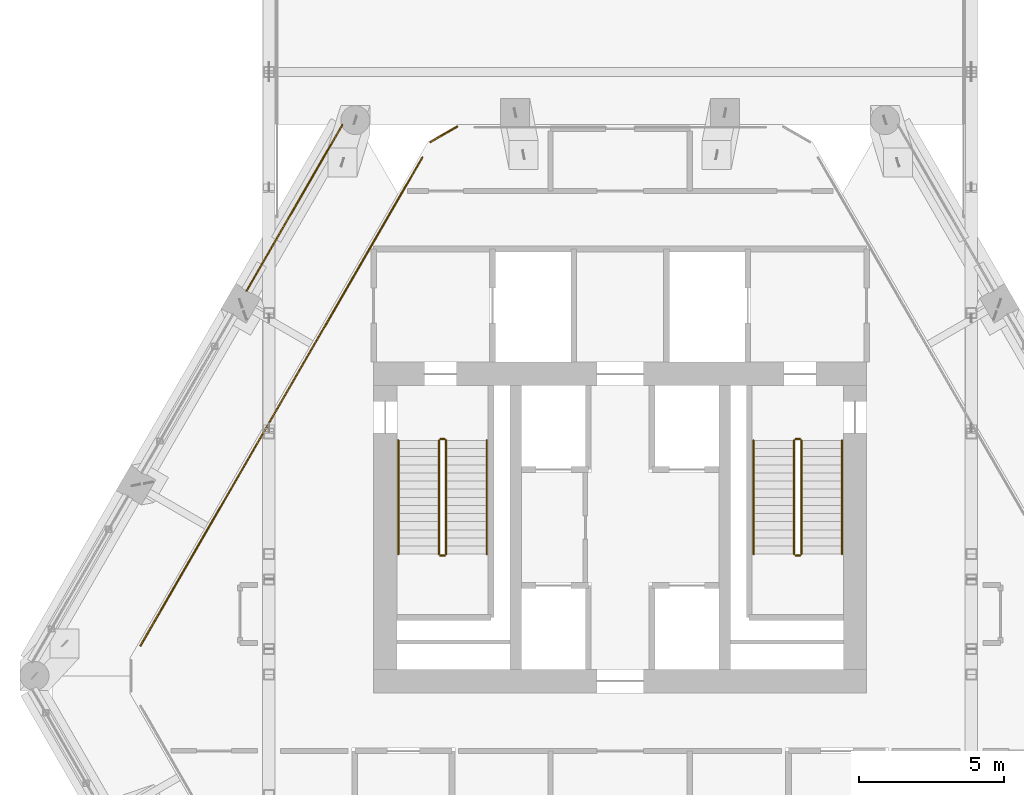
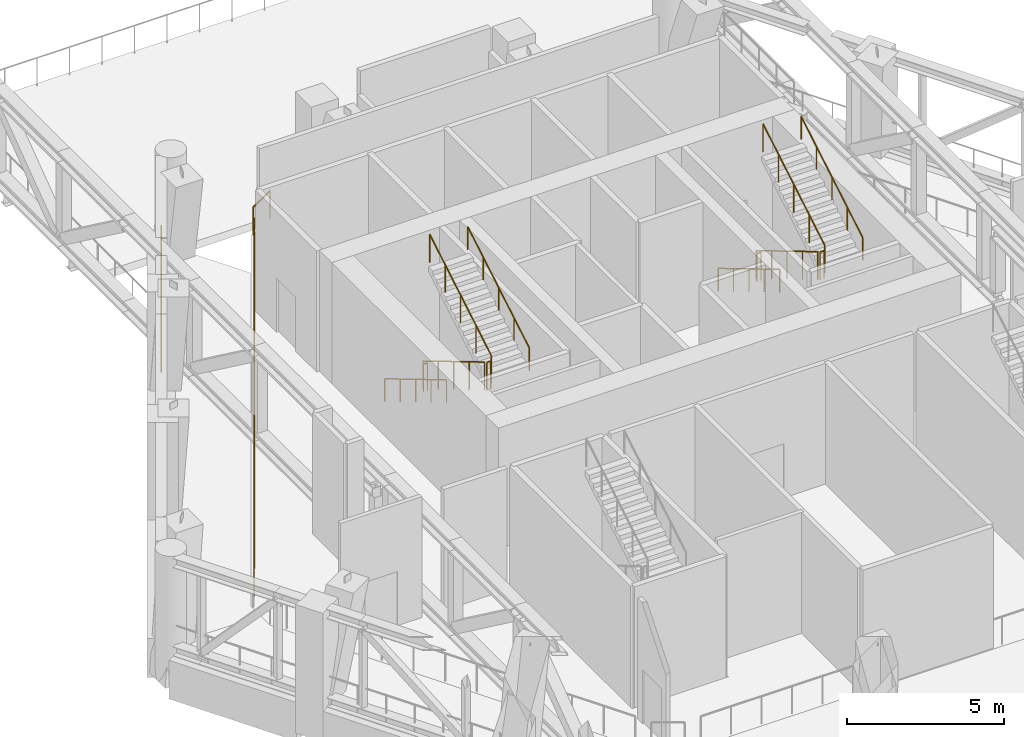
# One storey, part 21 of 22: 15 railings.
"""IFC4 building model written with IfcOpenShell, lengths in metres."""

from ifc_helpers import new_model, si_unit, direction, frame, origin, origin_2d, place, context, subcontext, project, spatial, circle, extrude, material, type_object, element, save


model = new_model("IFC4")

# Units and contexts
model_context = context("Model", 3, precision=1e-05, world=origin(), true_north=direction((0.0, 1.0)))
body_context = subcontext(model_context, "Body", "Model", "MODEL_VIEW")
ifc_project = project(units=[si_unit("LENGTHUNIT", "METRE"), si_unit("AREAUNIT", "SQUARE_METRE"), si_unit("VOLUMEUNIT", "CUBIC_METRE"), si_unit("PLANEANGLEUNIT", "RADIAN"), si_unit("MASSUNIT", "GRAM", prefix="KILO")], contexts=[model_context])

# Site, building, storey
site_placement = place(None, origin())
site = spatial("IfcSite", under=ifc_project, at=site_placement, CompositionType="ELEMENT")
building_placement = place(site_placement, origin())
building = spatial("IfcBuilding", under=site, at=building_placement, Name="Ostrander Bayou Hotel Tower", CompositionType="ELEMENT")
storey_placement = place(building_placement, frame((0.0, 0.0, 209.5)))
storey = spatial("IfcBuildingStorey", under=building, at=storey_placement, Name="L52", CompositionType="ELEMENT", Elevation=209.5)

# Railings
ifc_material_1 = material(Name="Stainless steel and clear glass", Category="steel")
railing_type_1 = type_object("IfcRailingType", Name="GR1 guard 1100 mm", PredefinedType="GUARDRAIL", material=ifc_material_1)
railing_1_placement = place(storey_placement, frame((-9.58056640625, 17.88037109375, 0.0)))
element("IfcRailing", 1, at=railing_1_placement, inside=storey, type_object=railing_type_1, Name="GR1 L52 NW-1 open band guard", PredefinedType="GUARDRAIL", context=body_context, shape_type="SweptSolid", body=[
    extrude(circle(Radius=0.02490234375, at=origin_2d()), frame((0.0, 0.0, 1.0751953125), z_axis=(-0.499994358189, -0.866028661061, 0.0), x_axis=(0.866028661061, -0.499994358189, 0.0)), (0.0, 0.0, 1.0), 6.6064453125),
    extrude(circle(Radius=0.02001953125, at=origin_2d()), origin(), (0.0, 0.0, 1.0), 1.050048828125),
    extrude(circle(Radius=0.02001953125, at=origin_2d()), frame((-0.550537109375, -0.95361328125, 0.0)), (0.0, 0.0, 1.0), 1.050048828125),
    extrude(circle(Radius=0.02001953125, at=origin_2d()), frame((-1.10107421875, -1.9072265625, 0.0)), (0.0, 0.0, 1.0), 1.050048828125),
    extrude(circle(Radius=0.02001953125, at=origin_2d()), frame((-1.651611328125, -2.86083984375, 0.0)), (0.0, 0.0, 1.0), 1.050048828125),
    extrude(circle(Radius=0.02001953125, at=origin_2d()), frame((-2.2021484375, -3.814208984375, 0.0)), (0.0, 0.0, 1.0), 1.050048828125),
    extrude(circle(Radius=0.02001953125, at=origin_2d()), frame((-2.752685546875, -4.767822265625, 0.0)), (0.0, 0.0, 1.0), 1.050048828125),
    extrude(circle(Radius=0.02001953125, at=origin_2d()), frame((-3.30322265625, -5.721435546875, 0.0)), (0.0, 0.0, 1.0), 1.050048828125),
])
railing_2_placement = place(storey_placement, frame((-5.6201171875, 17.824951171875, 0.0)))
element("IfcRailing", 2, at=railing_2_placement, inside=storey, type_object=railing_type_1, Name="GR1 L52 corner guard 1", PredefinedType="GUARDRAIL", context=body_context, shape_type="SweptSolid", body=[
    extrude(circle(Radius=0.02490234375, at=origin_2d()), frame((0.0, 0.0, 1.0751953125), z_axis=(-0.866048165231, -0.499960573946, 0.0), x_axis=(0.499960573946, -0.866048165231, 0.0)), (0.0, 0.0, 1.0), 1.06494140625),
    extrude(circle(Radius=0.02001953125, at=origin_2d()), origin(), (0.0, 0.0, 1.0), 1.050048828125),
    extrude(circle(Radius=0.02001953125, at=origin_2d()), frame((-0.92236328125, -0.532470703125, 0.0)), (0.0, 0.0, 1.0), 1.050048828125),
])
railing_3_placement = place(storey_placement, frame((-16.540283203125, -0.07421875, 0.0)))
element("IfcRailing", 3, at=railing_3_placement, inside=storey, type_object=railing_type_1, Name="GR1 L52 edge guard 6", PredefinedType="GUARDRAIL", context=body_context, shape_type="SweptSolid", body=[
    extrude(circle(Radius=0.02490234375, at=origin_2d()), frame((0.0, 0.0, 1.0751953125), z_axis=(0.500000754816, 0.866024967991, 0.0), x_axis=(-0.866024967991, 0.500000754816, 0.0)), (0.0, 0.0, 1.0), 19.43994140625),
    extrude(circle(Radius=0.02001953125, at=origin_2d()), origin(), (0.0, 0.0, 1.0), 1.050048828125),
    extrude(circle(Radius=0.02001953125, at=origin_2d()), frame((0.57177734375, 0.990234375, 0.0)), (0.0, 0.0, 1.0), 1.050048828125),
    extrude(circle(Radius=0.02001953125, at=origin_2d()), frame((1.1435546875, 1.980712890625, 0.0)), (0.0, 0.0, 1.0), 1.050048828125),
    extrude(circle(Radius=0.02001953125, at=origin_2d()), frame((1.71533203125, 2.970947265625, 0.0)), (0.0, 0.0, 1.0), 1.050048828125),
    extrude(circle(Radius=0.02001953125, at=origin_2d()), frame((2.287109375, 3.961181640625, 0.0)), (0.0, 0.0, 1.0), 1.050048828125),
    extrude(circle(Radius=0.02001953125, at=origin_2d()), frame((2.85888671875, 4.95166015625, 0.0)), (0.0, 0.0, 1.0), 1.050048828125),
    extrude(circle(Radius=0.02001953125, at=origin_2d()), frame((3.4306640625, 5.94189453125, 0.0)), (0.0, 0.0, 1.0), 1.050048828125),
    extrude(circle(Radius=0.02001953125, at=origin_2d()), frame((4.00244140625, 6.93212890625, 0.0)), (0.0, 0.0, 1.0), 1.050048828125),
    extrude(circle(Radius=0.02001953125, at=origin_2d()), frame((4.57421875, 7.922607421875, 0.0)), (0.0, 0.0, 1.0), 1.050048828125),
    extrude(circle(Radius=0.02001953125, at=origin_2d()), frame((5.145751953125, 8.912841796875, 0.0)), (0.0, 0.0, 1.0), 1.050048828125),
    extrude(circle(Radius=0.02001953125, at=origin_2d()), frame((5.717529296875, 9.9033203125, 0.0)), (0.0, 0.0, 1.0), 1.050048828125),
    extrude(circle(Radius=0.02001953125, at=origin_2d()), frame((6.289306640625, 10.8935546875, 0.0)), (0.0, 0.0, 1.0), 1.050048828125),
    extrude(circle(Radius=0.02001953125, at=origin_2d()), frame((6.861083984375, 11.8837890625, 0.0)), (0.0, 0.0, 1.0), 1.050048828125),
    extrude(circle(Radius=0.02001953125, at=origin_2d()), frame((7.432861328125, 12.874267578125, 0.0)), (0.0, 0.0, 1.0), 1.050048828125),
    extrude(circle(Radius=0.02001953125, at=origin_2d()), frame((8.004638671875, 13.864501953125, 0.0)), (0.0, 0.0, 1.0), 1.050048828125),
    extrude(circle(Radius=0.02001953125, at=origin_2d()), frame((8.576416015625, 14.854736328125, 0.0)), (0.0, 0.0, 1.0), 1.050048828125),
    extrude(circle(Radius=0.02001953125, at=origin_2d()), frame((9.148193359375, 15.84521484375, 0.0)), (0.0, 0.0, 1.0), 1.050048828125),
    extrude(circle(Radius=0.02001953125, at=origin_2d()), frame((9.719970703125, 16.83544921875, 0.0)), (0.0, 0.0, 1.0), 1.050048828125),
])
ifc_material_2 = material(Name="Steel ASTM A500 Gr C", Category="steel")
railing_type_2 = type_object("IfcRailingType", Name="GR1 stair guard 1100 mm steel", PredefinedType="GUARDRAIL", material=ifc_material_2)
railing_4_placement = place(storey_placement, frame((-6.25, 7.0, 0.166748046875)))
element("IfcRailing", 4, at=railing_4_placement, inside=storey, type_object=railing_type_2, Name="L52 STA stair guard 1", PredefinedType="GUARDRAIL", context=body_context, shape_type="SweptSolid", body=[
    extrude(circle(Radius=0.02392578125, at=origin_2d()), frame((0.0, 0.0, 1.076171875), z_axis=(0.0, -0.859296244711, 0.511478214419), x_axis=(1.0, 0.0, 0.0)), (0.0, 0.0, 1.0), 4.561767578125),
    extrude(circle(Radius=0.02099609375, at=origin_2d()), origin(), (0.0, 0.0, 1.0), 1.052001953125),
    extrude(circle(Radius=0.02099609375, at=origin_2d()), frame((0.0, -0.97998046875, 0.583251953125)), (0.0, 0.0, 1.0), 1.052001953125),
    extrude(circle(Radius=0.02099609375, at=origin_2d()), frame((0.0, -1.9599609375, 1.16650390625)), (0.0, 0.0, 1.0), 1.052001953125),
    extrude(circle(Radius=0.02099609375, at=origin_2d()), frame((0.0, -2.93994140625, 1.75)), (0.0, 0.0, 1.0), 1.052001953125),
    extrude(circle(Radius=0.02099609375, at=origin_2d()), frame((0.0, -3.919921875, 2.333251953125)), (0.0, 0.0, 1.0), 1.052001953125),
])
railing_5_placement = place(storey_placement, frame((-6.199951171875, 3.030029296875, 2.5)))
element("IfcRailing", 5, at=railing_5_placement, inside=storey, type_object=railing_type_2, Name="L52 STA stair guard 2", PredefinedType="GUARDRAIL", context=body_context, shape_type="SweptSolid", body=[
    extrude(circle(Radius=0.02392578125, at=origin_2d()), frame((0.0, 0.0, 1.076171875), z_axis=(1.0, 0.0, 0.0), x_axis=(0.0, 1.0, 0.0)), (0.0, 0.0, 1.0), 0.14990234375),
    extrude(circle(Radius=0.02099609375, at=origin_2d()), origin(), (0.0, 0.0, 1.0), 1.052001953125),
    extrude(circle(Radius=0.02099609375, at=origin_2d()), frame((0.14990234375, 0.0, 0.0)), (0.0, 0.0, 1.0), 1.052001953125),
])
railing_6_placement = place(storey_placement, frame((-6.0, 3.080078125, 2.666748046875)))
element("IfcRailing", 6, at=railing_6_placement, inside=storey, type_object=railing_type_2, Name="L52 STA stair guard 3", PredefinedType="GUARDRAIL", context=body_context, shape_type="SweptSolid", body=[
    extrude(circle(Radius=0.02392578125, at=origin_2d()), frame((0.0, 0.0, 1.076171875), z_axis=(0.0, 0.859296244711, 0.511478214419), x_axis=(-1.0, 0.0, 0.0)), (0.0, 0.0, 1.0), 4.561767578125),
    extrude(circle(Radius=0.02099609375, at=origin_2d()), origin(), (0.0, 0.0, 1.0), 1.052001953125),
    extrude(circle(Radius=0.02099609375, at=origin_2d()), frame((0.0, 0.97998046875, 0.583251953125)), (0.0, 0.0, 1.0), 1.052001953125),
    extrude(circle(Radius=0.02099609375, at=origin_2d()), frame((0.0, 1.9599609375, 1.16650390625)), (0.0, 0.0, 1.0), 1.052001953125),
    extrude(circle(Radius=0.02099609375, at=origin_2d()), frame((0.0, 2.93994140625, 1.75)), (0.0, 0.0, 1.0), 1.052001953125),
    extrude(circle(Radius=0.02099609375, at=origin_2d()), frame((0.0, 3.919921875, 2.333251953125)), (0.0, 0.0, 1.0), 1.052001953125),
])
railing_7_placement = place(storey_placement, frame((-6.199951171875, 7.050048828125, 0.0)))
element("IfcRailing", 7, at=railing_7_placement, inside=storey, type_object=railing_type_2, Name="L52 STA stair guard 4", PredefinedType="GUARDRAIL", context=body_context, shape_type="SweptSolid", body=[
    extrude(circle(Radius=0.02392578125, at=origin_2d()), frame((0.0, 0.0, 1.076171875), z_axis=(1.0, 0.0, 0.0), x_axis=(0.0, 1.0, 0.0)), (0.0, 0.0, 1.0), 0.14990234375),
    extrude(circle(Radius=0.02099609375, at=origin_2d()), origin(), (0.0, 0.0, 1.0), 1.052001953125),
    extrude(circle(Radius=0.02099609375, at=origin_2d()), frame((0.14990234375, 0.0, 0.0)), (0.0, 0.0, 1.0), 1.052001953125),
])
railing_8_placement = place(storey_placement, frame((6.0, 7.0, 0.166748046875)))
element("IfcRailing", 8, at=railing_8_placement, inside=storey, type_object=railing_type_2, Name="L52 STB stair guard 1", PredefinedType="GUARDRAIL", context=body_context, shape_type="SweptSolid", body=[
    extrude(circle(Radius=0.02392578125, at=origin_2d()), frame((0.0, 0.0, 1.076171875), z_axis=(0.0, -0.859296244711, 0.511478214419), x_axis=(1.0, 0.0, 0.0)), (0.0, 0.0, 1.0), 4.561767578125),
    extrude(circle(Radius=0.02099609375, at=origin_2d()), origin(), (0.0, 0.0, 1.0), 1.052001953125),
    extrude(circle(Radius=0.02099609375, at=origin_2d()), frame((0.0, -0.97998046875, 0.583251953125)), (0.0, 0.0, 1.0), 1.052001953125),
    extrude(circle(Radius=0.02099609375, at=origin_2d()), frame((0.0, -1.9599609375, 1.16650390625)), (0.0, 0.0, 1.0), 1.052001953125),
    extrude(circle(Radius=0.02099609375, at=origin_2d()), frame((0.0, -2.93994140625, 1.75)), (0.0, 0.0, 1.0), 1.052001953125),
    extrude(circle(Radius=0.02099609375, at=origin_2d()), frame((0.0, -3.919921875, 2.333251953125)), (0.0, 0.0, 1.0), 1.052001953125),
])
railing_9_placement = place(storey_placement, frame((6.050048828125, 3.030029296875, 2.5)))
element("IfcRailing", 9, at=railing_9_placement, inside=storey, type_object=railing_type_2, Name="L52 STB stair guard 2", PredefinedType="GUARDRAIL", context=body_context, shape_type="SweptSolid", body=[
    extrude(circle(Radius=0.02392578125, at=origin_2d()), frame((0.0, 0.0, 1.076171875), z_axis=(1.0, 0.0, 0.0), x_axis=(0.0, 1.0, 0.0)), (0.0, 0.0, 1.0), 0.14990234375),
    extrude(circle(Radius=0.02099609375, at=origin_2d()), origin(), (0.0, 0.0, 1.0), 1.052001953125),
    extrude(circle(Radius=0.02099609375, at=origin_2d()), frame((0.14990234375, 0.0, 0.0)), (0.0, 0.0, 1.0), 1.052001953125),
])
railing_10_placement = place(storey_placement, frame((6.25, 3.080078125, 2.666748046875)))
element("IfcRailing", 10, at=railing_10_placement, inside=storey, type_object=railing_type_2, Name="L52 STB stair guard 3", PredefinedType="GUARDRAIL", context=body_context, shape_type="SweptSolid", body=[
    extrude(circle(Radius=0.02392578125, at=origin_2d()), frame((0.0, 0.0, 1.076171875), z_axis=(0.0, 0.859296244711, 0.511478214419), x_axis=(-1.0, 0.0, 0.0)), (0.0, 0.0, 1.0), 4.561767578125),
    extrude(circle(Radius=0.02099609375, at=origin_2d()), origin(), (0.0, 0.0, 1.0), 1.052001953125),
    extrude(circle(Radius=0.02099609375, at=origin_2d()), frame((0.0, 0.97998046875, 0.583251953125)), (0.0, 0.0, 1.0), 1.052001953125),
    extrude(circle(Radius=0.02099609375, at=origin_2d()), frame((0.0, 1.9599609375, 1.16650390625)), (0.0, 0.0, 1.0), 1.052001953125),
    extrude(circle(Radius=0.02099609375, at=origin_2d()), frame((0.0, 2.93994140625, 1.75)), (0.0, 0.0, 1.0), 1.052001953125),
    extrude(circle(Radius=0.02099609375, at=origin_2d()), frame((0.0, 3.919921875, 2.333251953125)), (0.0, 0.0, 1.0), 1.052001953125),
])
railing_11_placement = place(storey_placement, frame((6.050048828125, 7.050048828125, 0.0)))
element("IfcRailing", 11, at=railing_11_placement, inside=storey, type_object=railing_type_2, Name="L52 STB stair guard 4", PredefinedType="GUARDRAIL", context=body_context, shape_type="SweptSolid", body=[
    extrude(circle(Radius=0.02392578125, at=origin_2d()), frame((0.0, 0.0, 1.076171875), z_axis=(1.0, 0.0, 0.0), x_axis=(0.0, 1.0, 0.0)), (0.0, 0.0, 1.0), 0.14990234375),
    extrude(circle(Radius=0.02099609375, at=origin_2d()), origin(), (0.0, 0.0, 1.0), 1.052001953125),
    extrude(circle(Radius=0.02099609375, at=origin_2d()), frame((0.14990234375, 0.0, 0.0)), (0.0, 0.0, 1.0), 1.052001953125),
])
ifc_material_3 = material(Name="Steel ASTM A500 Gr C", Category="steel")
railing_type_3 = type_object("IfcRailingType", Name="HR1 stair handrail 900 mm steel", PredefinedType="HANDRAIL", material=ifc_material_3)
railing_12_placement = place(storey_placement, frame((-7.64990234375, 7.0, 0.166748046875)))
element("IfcRailing", 12, at=railing_12_placement, inside=storey, type_object=railing_type_3, Name="L52 STA stair handrail 1", PredefinedType="HANDRAIL", context=body_context, shape_type="SweptSolid", body=[
    extrude(circle(Radius=0.02392578125, at=origin_2d()), frame((0.0, 0.0, 0.8759765625), z_axis=(0.0, -0.859296244711, 0.511478214419), x_axis=(1.0, 0.0, 0.0)), (0.0, 0.0, 1.0), 4.561767578125),
    extrude(circle(Radius=0.02099609375, at=origin_2d()), origin(), (0.0, 0.0, 1.0), 0.851806640625),
    extrude(circle(Radius=0.02099609375, at=origin_2d()), frame((0.0, -0.97998046875, 0.583251953125)), (0.0, 0.0, 1.0), 0.851806640625),
    extrude(circle(Radius=0.02099609375, at=origin_2d()), frame((0.0, -1.9599609375, 1.16650390625)), (0.0, 0.0, 1.0), 0.851806640625),
    extrude(circle(Radius=0.02099609375, at=origin_2d()), frame((0.0, -2.93994140625, 1.75)), (0.0, 0.0, 1.0), 0.851806640625),
    extrude(circle(Radius=0.02099609375, at=origin_2d()), frame((0.0, -3.919921875, 2.333251953125)), (0.0, 0.0, 1.0), 0.851806640625),
])
railing_13_placement = place(storey_placement, frame((-4.60009765625, 3.080078125, 2.666748046875)))
element("IfcRailing", 13, at=railing_13_placement, inside=storey, type_object=railing_type_3, Name="L52 STA stair handrail 2", PredefinedType="HANDRAIL", context=body_context, shape_type="SweptSolid", body=[
    extrude(circle(Radius=0.02392578125, at=origin_2d()), frame((0.0, 0.0, 0.8759765625), z_axis=(0.0, 0.859296244711, 0.511478214419), x_axis=(-1.0, 0.0, 0.0)), (0.0, 0.0, 1.0), 4.561767578125),
    extrude(circle(Radius=0.02099609375, at=origin_2d()), origin(), (0.0, 0.0, 1.0), 0.851806640625),
    extrude(circle(Radius=0.02099609375, at=origin_2d()), frame((0.0, 0.97998046875, 0.583251953125)), (0.0, 0.0, 1.0), 0.851806640625),
    extrude(circle(Radius=0.02099609375, at=origin_2d()), frame((0.0, 1.9599609375, 1.16650390625)), (0.0, 0.0, 1.0), 0.851806640625),
    extrude(circle(Radius=0.02099609375, at=origin_2d()), frame((0.0, 2.93994140625, 1.75)), (0.0, 0.0, 1.0), 0.851806640625),
    extrude(circle(Radius=0.02099609375, at=origin_2d()), frame((0.0, 3.919921875, 2.333251953125)), (0.0, 0.0, 1.0), 0.851806640625),
])
railing_14_placement = place(storey_placement, frame((4.60009765625, 7.0, 0.166748046875)))
element("IfcRailing", 14, at=railing_14_placement, inside=storey, type_object=railing_type_3, Name="L52 STB stair handrail 1", PredefinedType="HANDRAIL", context=body_context, shape_type="SweptSolid", body=[
    extrude(circle(Radius=0.02392578125, at=origin_2d()), frame((0.0, 0.0, 0.8759765625), z_axis=(0.0, -0.859296244711, 0.511478214419), x_axis=(1.0, 0.0, 0.0)), (0.0, 0.0, 1.0), 4.561767578125),
    extrude(circle(Radius=0.02099609375, at=origin_2d()), origin(), (0.0, 0.0, 1.0), 0.851806640625),
    extrude(circle(Radius=0.02099609375, at=origin_2d()), frame((0.0, -0.97998046875, 0.583251953125)), (0.0, 0.0, 1.0), 0.851806640625),
    extrude(circle(Radius=0.02099609375, at=origin_2d()), frame((0.0, -1.9599609375, 1.16650390625)), (0.0, 0.0, 1.0), 0.851806640625),
    extrude(circle(Radius=0.02099609375, at=origin_2d()), frame((0.0, -2.93994140625, 1.75)), (0.0, 0.0, 1.0), 0.851806640625),
    extrude(circle(Radius=0.02099609375, at=origin_2d()), frame((0.0, -3.919921875, 2.333251953125)), (0.0, 0.0, 1.0), 0.851806640625),
])
railing_15_placement = place(storey_placement, frame((7.64990234375, 3.080078125, 2.666748046875)))
element("IfcRailing", 15, at=railing_15_placement, inside=storey, type_object=railing_type_3, Name="L52 STB stair handrail 2", PredefinedType="HANDRAIL", context=body_context, shape_type="SweptSolid", body=[
    extrude(circle(Radius=0.02392578125, at=origin_2d()), frame((0.0, 0.0, 0.8759765625), z_axis=(0.0, 0.859296244711, 0.511478214419), x_axis=(-1.0, 0.0, 0.0)), (0.0, 0.0, 1.0), 4.561767578125),
    extrude(circle(Radius=0.02099609375, at=origin_2d()), origin(), (0.0, 0.0, 1.0), 0.851806640625),
    extrude(circle(Radius=0.02099609375, at=origin_2d()), frame((0.0, 0.97998046875, 0.583251953125)), (0.0, 0.0, 1.0), 0.851806640625),
    extrude(circle(Radius=0.02099609375, at=origin_2d()), frame((0.0, 1.9599609375, 1.16650390625)), (0.0, 0.0, 1.0), 0.851806640625),
    extrude(circle(Radius=0.02099609375, at=origin_2d()), frame((0.0, 2.93994140625, 1.75)), (0.0, 0.0, 1.0), 0.851806640625),
    extrude(circle(Radius=0.02099609375, at=origin_2d()), frame((0.0, 3.919921875, 2.333251953125)), (0.0, 0.0, 1.0), 0.851806640625),
])

save(model, "model.ifc")
